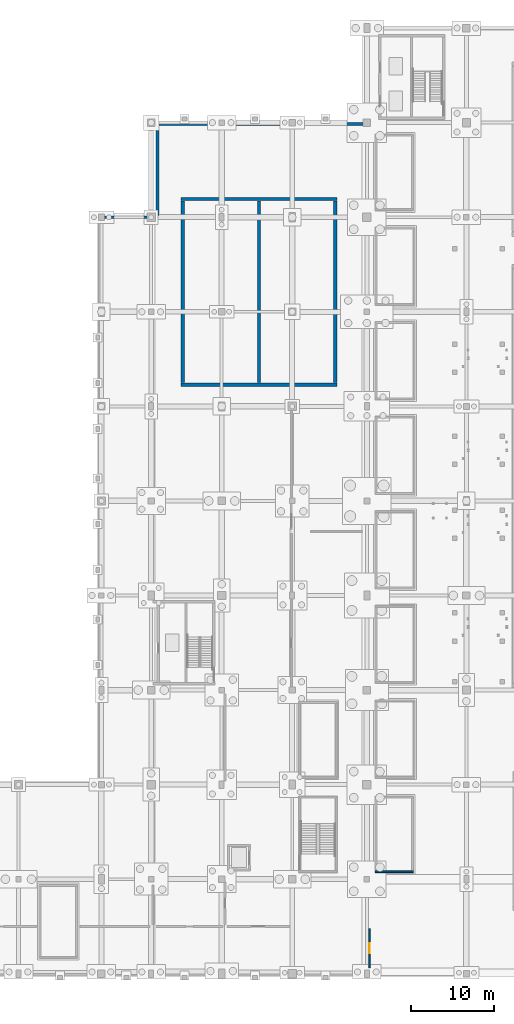
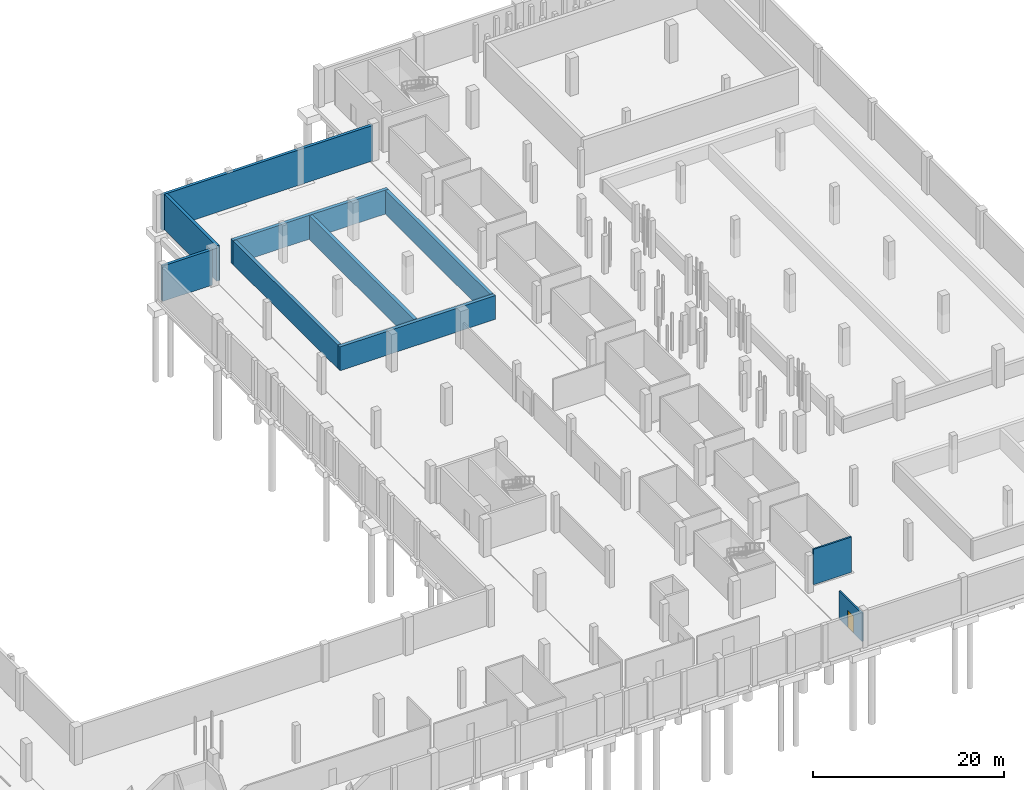
# One storey, part 27 of 34: 10 walls, 1 door, 1 opening.
"""IFC4 building model written with IfcOpenShell, lengths in metres."""

from ifc_helpers import new_model, si_unit, direction, frame, frame_2d, origin, place, context, subcontext, project, spatial, rectangle, extrude, material, layer, layer_set, type_object, element, fill, save


model = new_model("IFC4")

# Units and contexts
model_context = context("Model", 3, precision=1e-05, world=origin(), true_north=direction((0.0, 1.0)))
body_context = subcontext(model_context, "Body", "Model", "MODEL_VIEW")
ifc_project = project(units=[si_unit("LENGTHUNIT", "METRE"), si_unit("AREAUNIT", "SQUARE_METRE"), si_unit("VOLUMEUNIT", "CUBIC_METRE"), si_unit("PLANEANGLEUNIT", "RADIAN"), si_unit("MASSUNIT", "GRAM", prefix="KILO"), si_unit("POWERUNIT", "WATT"), si_unit("THERMODYNAMICTEMPERATUREUNIT", "KELVIN")], contexts=[model_context])

# Site, building, storey
site_placement = place(None, origin())
site = spatial("IfcSite", under=ifc_project, at=site_placement, CompositionType="ELEMENT")
building_placement = place(site_placement, origin())
building = spatial("IfcBuilding", under=site, at=building_placement, Name="Kelmbourne Parkland Aquatics Centre", CompositionType="ELEMENT")
storey_placement = place(building_placement, frame((0.0, 0.0, -4.800048828125)))
storey = spatial("IfcBuildingStorey", under=building, at=storey_placement, Name="B1", CompositionType="ELEMENT", Elevation=-4.800048828125)

# Walls
ifc_material_1 = material(Name="Concrete blockwork C32/40", Category="masonry")
ifc_layer_1 = layer(ifc_material_1, 0.199951171875)
ifc_layer_set_1 = layer_set([ifc_layer_1], Name="Concrete blockwork C32/40")
wall_type_1 = type_object("IfcWallType", Name="W-FIRE-200", PredefinedType="SOLIDWALL", material=ifc_layer_set_1)
wall_1_placement = place(storey_placement, frame((129.0, 13.10009765625, 0.0), z_axis=(0.0, 0.0, 1.0), x_axis=(1.0, 0.0, 0.0)))
element("IfcWall", 1, at=wall_1_placement, inside=storey, type_object=wall_type_1, Name="Main Bowl South Concourse Exit Stair substructure wall S", PredefinedType="SOLIDWALL", context=body_context, shape_type="SweptSolid", body=[
    extrude(rectangle(XDim=4.60009765625, YDim=0.199951171875, at=frame_2d((2.300048828125, 0.0))), origin(), (0.0, 0.0, 1.0), 4.52001953125),
])
ifc_material_2 = material(Name="Concrete C40/50", Category="concrete")
ifc_layer_2 = layer(ifc_material_2, 0.35009765625)
ifc_layer_set_2 = layer_set([ifc_layer_2], Name="Concrete C40/50")
wall_type_2 = type_object("IfcWallType", Name="W-RET-350", PredefinedType="SHEAR", material=ifc_layer_set_2)
wall_2_placement = place(storey_placement, frame((95.85009765625, 92.0, 0.0), z_axis=(0.0, 0.0, 1.0), x_axis=(1.0, 0.0, 0.0)))
element("IfcWall", 2, at=wall_2_placement, inside=storey, type_object=wall_type_2, Name="Basement retaining wall RET-V6EN", PredefinedType="SHEAR", context=body_context, shape_type="SweptSolid", body=[
    extrude(rectangle(XDim=6.0498046875, YDim=0.35009765625, at=frame_2d((3.02490234375, 0.0))), origin(), (0.0, 0.0, 1.0), 4.52001953125),
])
wall_3_placement = place(storey_placement, frame((102.75, 92.199951171875, 0.0), z_axis=(0.0, 0.0, 1.0), x_axis=(0.0, 1.0, 0.0)))
element("IfcWall", 3, at=wall_3_placement, inside=storey, type_object=wall_type_2, Name="Basement retaining wall RET-W4", PredefinedType="SHEAR", context=body_context, shape_type="SweptSolid", body=[
    extrude(rectangle(XDim=10.900146484375, YDim=0.35009765625, at=frame_2d((5.4501953125, 0.0))), origin(), (0.0, 0.0, 1.0), 4.52001953125),
])
wall_4_placement = place(storey_placement, frame((102.300048828125, 103.25, 0.0), z_axis=(0.0, 0.0, 1.0), x_axis=(1.0, 0.0, 0.0)))
element("IfcWall", 4, at=wall_4_placement, inside=storey, type_object=wall_type_2, Name="Basement retaining wall RET-N4", PredefinedType="SHEAR", context=body_context, shape_type="SweptSolid", body=[
    extrude(rectangle(XDim=25.5, YDim=0.35009765625, at=frame_2d((12.75, 0.0))), origin(), (0.0, 0.0, 1.0), 4.52001953125),
])

# Wall, opening, door
ifc_layer_3 = layer(ifc_material_1, 0.18994140625)
ifc_layer_set_3 = layer_set([ifc_layer_3], Name="Concrete blockwork C32/40")
wall_type_3 = type_object("IfcWallType", Name="W-SOLID-190", PredefinedType="SOLIDWALL", material=ifc_layer_set_3)
wall_5_placement = place(storey_placement, frame((128.300048828125, 1.5, 0.0), z_axis=(0.0, 0.0, 1.0), x_axis=(0.0, 1.0, 0.0)))
wall_5 = element("IfcWall", 5, at=wall_5_placement, inside=storey, type_object=wall_type_3, Name="Interior partition PT-B1-016", PredefinedType="SOLIDWALL", context=body_context, shape_type="SweptSolid", body=[
    extrude(rectangle(XDim=4.75, YDim=0.18994140625, at=frame_2d((2.375, 0.0))), origin(), (0.0, 0.0, 1.0), 3.60498046875),
])
opening_placement = place(wall_5_placement, frame((1.77490234375, 0.0, 0.0)))
opening = element("IfcOpeningElement", 6, at=opening_placement, cuts=wall_5, Name="Opening FD05", PredefinedType="OPENING", context=body_context, shape_type="SweptSolid", body=[
    extrude(rectangle(XDim=1.199951171875, YDim=2.199951171875, at=frame_2d((0.60009765625, 1.10009765625))), frame((0.0, 0.10693359375, 0.0), z_axis=(0.0, -1.0, 0.0), x_axis=(1.0, 0.0, 0.0)), (0.0, 0.0, 1.0), 0.2138671875),
])
ifc_material_3 = material(Name="Marine-grade stainless steel and fire-rated hardwood doorset", Category="steel")
ifc_layer_4 = layer(ifc_material_3, 0.050048828125)
ifc_layer_set_4 = layer_set([ifc_layer_4], Name="Marine-grade stainless steel and fire-rated hardwood doorset")
door_type = type_object("IfcDoorType", Name="DR-FD-120", OperationType="NOTDEFINED", PredefinedType="DOOR", material=ifc_layer_set_4)
door_placement = place(opening_placement, origin())
door = element("IfcDoor", 7, at=door_placement, inside=storey, type_object=door_type, Name="Interior door FD05 (B1-011)", OperationType="SINGLE_SWING_RIGHT", OverallHeight=2.199951171875, OverallWidth=1.199951171875, PredefinedType="DOOR", context=body_context, shape_type="SweptSolid", body=[
    extrude(rectangle(XDim=1.199951171875, YDim=2.199951171875, at=frame_2d((0.60009765625, 1.10009765625))), frame((0.0, 0.02490234375, 0.0), z_axis=(0.0, -1.0, 0.0), x_axis=(1.0, 0.0, 0.0)), (0.0, 0.0, 1.0), 0.050048828125),
])
fill(opening, door)

# Walls
ifc_material_4 = material(Name="Waterproof concrete C50/60", Category="concrete")
ifc_layer_5 = layer(ifc_material_4, 0.39990234375)
ifc_layer_set_5 = layer_set([ifc_layer_5], Name="Waterproof concrete C50/60")
wall_type_4 = type_object("IfcWallType", Name="W-TANK-400", PredefinedType="SHEAR", material=ifc_layer_set_5)
for number, where, z_axis, x_axis, name in (
    (8, (105.60009765625, 71.800048828125, 0.0), (0.0, 0.0, 1.0), (1.0, 0.0, 0.0), "Family Leisure and Learn-to-Swim Pool Tank undercroft support wall S"),
    (9, (105.60009765625, 94.199951171875, 0.0), (0.0, 0.0, 1.0), (1.0, 0.0, 0.0), "Family Leisure and Learn-to-Swim Pool Tank undercroft support wall N"),
):
    element("IfcWall", number, at=place(storey_placement, frame(where, z_axis=z_axis, x_axis=x_axis)), inside=storey, type_object=wall_type_4, Name=name, PredefinedType="SHEAR", context=body_context, shape_type="SweptSolid", body=[
        extrude(rectangle(XDim=18.7998046875, YDim=0.39990234375, at=frame_2d((9.39990234375, 0.0))), origin(), (0.0, 0.0, 1.0), 3.050048828125),
    ])
for number, where, z_axis, x_axis, name in (
    (10, (105.800048828125, 72.050048828125, 0.0), (0.0, 0.0, 1.0), (0.0, 1.0, 0.0), "Family Leisure and Learn-to-Swim Pool Tank undercroft support wall W"),
    (11, (124.199951171875, 72.050048828125, 0.0), (0.0, 0.0, 1.0), (0.0, 1.0, 0.0), "Family Leisure and Learn-to-Swim Pool Tank undercroft support wall E"),
    (12, (115.0, 72.050048828125, 0.0), (0.0, 0.0, 1.0), (0.0, 1.0, 0.0), "Family Leisure and Learn-to-Swim Pool Tank undercroft support wall M"),
):
    element("IfcWall", number, at=place(storey_placement, frame(where, z_axis=z_axis, x_axis=x_axis)), inside=storey, type_object=wall_type_4, Name=name, PredefinedType="SHEAR", context=body_context, shape_type="SweptSolid", body=[
        extrude(rectangle(XDim=21.89990234375, YDim=0.39990234375, at=frame_2d((10.949951171875, 0.0))), origin(), (0.0, 0.0, 1.0), 3.050048828125),
    ])

save(model, "model.ifc")
